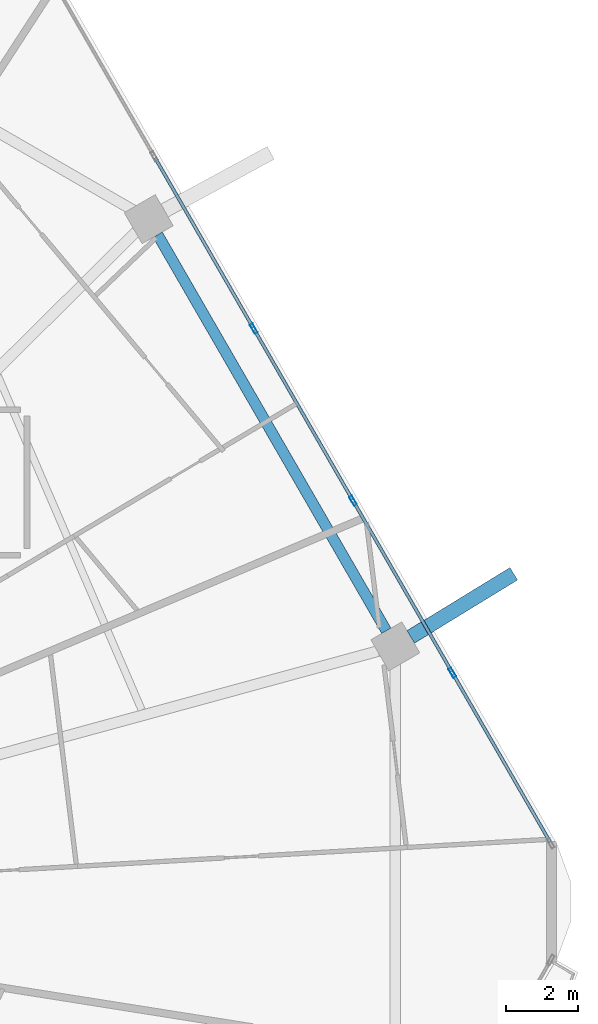
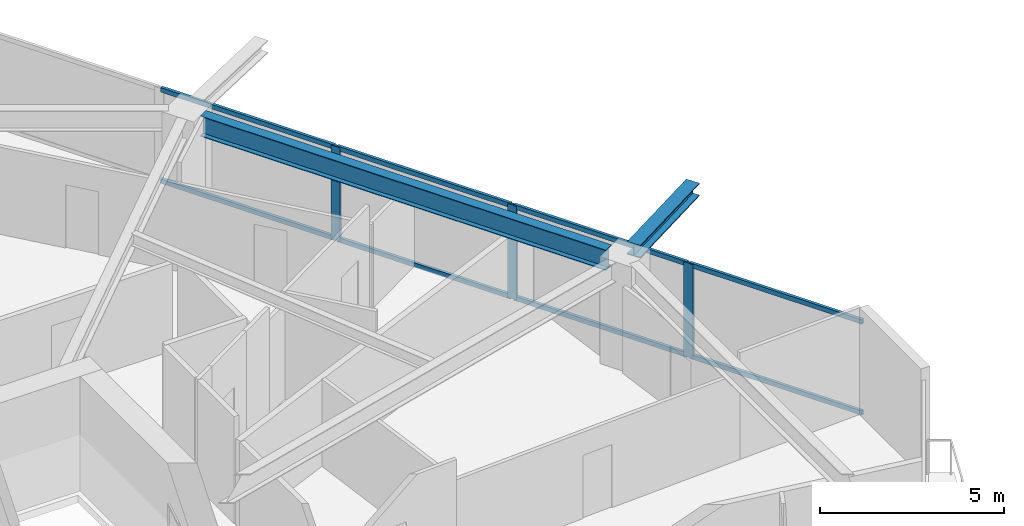
# One storey, part 14 of 26: 11 members, 2 beams, 1 element without a shape of its own.
"""IFC4 building model written with IfcOpenShell, lengths in metres."""

import ifcopenshell
import ifcopenshell.guid

model = None  # the IFC model being written
_history = None  # IfcOwnerHistory: only IFC2X3 demands one
_inside = {}  # id of a spatial element -> (the spatial element, [elements in it])
_under = {}  # id of a project, library or spatial element -> (it, [spatial elements below it])
_declared = {}  # id of a project -> (the project, [libraries it declares])
_typed = {}  # id of a type object -> (the type object, [elements of that type])
_made_of = {}  # id of a material, layer set ... -> (it, [elements and type objects made of it])


def new_model(schema):
    """Start an empty IFC model of exactly this schema.

    Asked for "IFC4X3", IfcOpenShell would pick the latest addendum, in which some entities
    have other attributes; the version numbers below select the first issue.
    IFC2X3 requires an IfcOwnerHistory on every rooted entity: one is made here for all.
    """
    global model, _history
    if schema == "IFC4X3":
        model = ifcopenshell.file(schema_version=(4, 3, 0, 0))
    else:
        model = ifcopenshell.file(schema=schema)
    _inside.clear()
    _under.clear()
    _declared.clear()
    _typed.clear()
    _made_of.clear()
    _history = None
    if model.schema == "IFC2X3":
        org = make("IfcOrganization", Name="unknown")
        user = make(
            "IfcPersonAndOrganization",
            ThePerson=make("IfcPerson", FamilyName="unknown"),
            TheOrganization=org,
        )
        app = make(
            "IfcApplication",
            ApplicationDeveloper=org,
            Version="unknown",
            ApplicationFullName="unknown",
            ApplicationIdentifier="unknown",
        )
        _history = make(
            "IfcOwnerHistory",
            OwningUser=user,
            OwningApplication=app,
            ChangeAction="ADDED",
            CreationDate=0,
        )
    return model


def make(cls, **values):
    """One entity of the class cls with the attributes given. An attribute that is None is left unset."""
    return model.create_entity(
        cls, **{name: value for name, value in values.items() if value is not None}
    )


def rooted(cls, **values):
    """An entity with a GlobalId (a new one), such as an element, a storey or a relation."""
    return make(cls, GlobalId=ifcopenshell.guid.new(), OwnerHistory=_history, **values)


def si_unit(unit_type, name, prefix=None):
    """IfcSIUnit, for example si_unit("LENGTHUNIT", "METRE", prefix="MILLI")."""
    return make("IfcSIUnit", UnitType=unit_type, Prefix=prefix, Name=name)


def assignment(units):
    """IfcUnitAssignment: the units of a project."""
    return None if units is None else make("IfcUnitAssignment", Units=units)


def point(xyz):
    """IfcCartesianPoint."""
    return None if xyz is None else make("IfcCartesianPoint", Coordinates=xyz)


def direction(xyz):
    """IfcDirection."""
    return None if xyz is None else make("IfcDirection", DirectionRatios=xyz)


def frame(location, z_axis=None, x_axis=None):
    """IfcAxis2Placement3D, a coordinate frame: its origin and axes. An axis left out is left unset."""
    return make(
        "IfcAxis2Placement3D",
        Location=point(location),
        Axis=direction(z_axis),
        RefDirection=direction(x_axis),
    )


def frame_2d(location, x_axis=None):
    """IfcAxis2Placement2D, a coordinate frame in the plane: its origin and x axis."""
    return make(
        "IfcAxis2Placement2D", Location=point(location), RefDirection=direction(x_axis)
    )


def origin():
    """The frame at (0, 0, 0) with its axes left unset."""
    return frame((0.0, 0.0, 0.0))


def origin_2d():
    """The frame at (0, 0) in the plane with its x axis left unset."""
    return frame_2d((0.0, 0.0))


def place(relative_to, where):
    """IfcLocalPlacement: puts the frame where relative to a parent placement (None: the world)."""
    return make(
        "IfcLocalPlacement", PlacementRelTo=relative_to, RelativePlacement=where
    )


def context(
    kind, dimensions, precision=None, world=None, true_north=None, identifier=None
):
    """IfcGeometricRepresentationContext, for example the 3D "Model" context."""
    return make(
        "IfcGeometricRepresentationContext",
        ContextIdentifier=identifier,
        ContextType=kind,
        CoordinateSpaceDimension=dimensions,
        Precision=precision,
        WorldCoordinateSystem=world,
        TrueNorth=true_north,
    )


def subcontext(parent, identifier, kind, view, scale=None):
    """IfcGeometricRepresentationSubContext, for example "Body" below "Model"."""
    return make(
        "IfcGeometricRepresentationSubContext",
        ContextIdentifier=identifier,
        ContextType=kind,
        ParentContext=parent,
        TargetScale=scale,
        TargetView=view,
    )


def project(units=None, contexts=None):
    """IfcProject with its units and contexts."""
    return rooted(
        "IfcProject",
        Name="project",
        RepresentationContexts=contexts,
        UnitsInContext=assignment(units),
    )


def spatial(cls, under=None, at=None, **own):
    """A site, building, storey or space (cls), placed at a placement, below another one or the project."""
    s = rooted(cls, ObjectPlacement=at, **own)
    if under is not None:
        _under.setdefault(under.id(), (under, []))[1].append(s)
    return s


def profile(cls, at=None, kind="AREA", **sizes):
    """A parametric profile (cls). Its sizes go by their IFC names, for example OverallWidth=200.0."""
    return make(cls, ProfileType=kind, Position=at, **sizes)


def hollow_rectangle(**sizes):
    """IfcRectangleHollowProfileDef."""
    return profile("IfcRectangleHollowProfileDef", **sizes)


def i_section(**sizes):
    """IfcIShapeProfileDef."""
    return profile("IfcIShapeProfileDef", **sizes)


def extrude(swept, where, along, depth):
    """IfcExtrudedAreaSolid: the profile swept, set in the frame where, extruded along a direction by depth."""
    return make(
        "IfcExtrudedAreaSolid",
        SweptArea=swept,
        Position=where,
        ExtrudedDirection=direction(along),
        Depth=depth,
    )


def shape(context_of_items, identifier, shape_type, items):
    """IfcShapeRepresentation: the items that make up one representation, for example the "Body"."""
    return make(
        "IfcShapeRepresentation",
        ContextOfItems=context_of_items,
        RepresentationIdentifier=identifier,
        RepresentationType=shape_type,
        Items=items,
    )


def material(Name=None, Category=None):
    """IfcMaterial."""
    return make("IfcMaterial", Name=Name, Category=Category)


def material_profile(
    of_material, cross_section, Name=None, Category=None, Priority=None
):
    """IfcMaterialProfile: a cross section and its material."""
    return make(
        "IfcMaterialProfile",
        Name=Name,
        Material=of_material,
        Profile=cross_section,
        Priority=Priority,
        Category=Category,
    )


def profile_set(profiles, Name=None, composite=None):
    """IfcMaterialProfileSet."""
    return make(
        "IfcMaterialProfileSet",
        Name=Name,
        MaterialProfiles=profiles,
        CompositeProfile=composite,
    )


def made_of(thing, what):
    """Note that an element or type object is made of a material, layer set ...; save() writes the relation."""
    if what is not None:
        _made_of.setdefault(what.id(), (what, []))[1].append(thing)
    return thing


def type_object(cls, material=None, **own):
    """A type object (cls), such as IfcWallType, which elements share."""
    return made_of(rooted(cls, **own), material)


def element(
    cls,
    number,
    at=None,
    inside=None,
    cuts=None,
    type_object=None,
    material=None,
    context=None,
    identifier="Body",
    shape_type=None,
    held_by="IfcProductDefinitionShape",
    body=None,
    shapes=None,
    **own,
):
    """One element of the class cls, such as IfcWall. Its Tag is "e" and its number.

    at: its placement. inside: the storey or other place that contains it. cuts: it is an
    opening in that element (IfcRelVoidsElement). A single representation is given by context,
    identifier, shape_type and body (its items); several are given by shapes. held_by: the class
    of the entity that holds the representations. save() writes the other relations.
    """
    e = rooted(cls, Tag="e%d" % number, ObjectPlacement=at, **own)
    if body is not None:
        shapes = [shape(context, identifier, shape_type, body)]
    if shapes is not None:
        e.Representation = make(held_by, Representations=shapes)
    if inside is not None:
        _inside.setdefault(inside.id(), (inside, []))[1].append(e)
    if cuts is not None:
        rooted(
            "IfcRelVoidsElement", RelatingBuildingElement=cuts, RelatedOpeningElement=e
        )
    if type_object is not None:
        _typed.setdefault(type_object.id(), (type_object, []))[1].append(e)
    return made_of(e, material)


def aggregate(whole, parts):
    """IfcRelAggregates: a whole, such as a stair, and the parts it consists of."""
    return rooted("IfcRelAggregates", RelatingObject=whole, RelatedObjects=parts)


def save(model, path):
    """Write the relations noted so far, then the file.

    IfcRelAggregates (storeys below a building ...), IfcRelContainedInSpatialStructure (elements
    in a storey), IfcRelDefinesByType, IfcRelAssociatesMaterial and IfcRelDeclares: one each for
    every whole, place, type object, material and project.
    """
    for whole, parts in _under.values():
        aggregate(whole, parts)
    for where, things in _inside.values():
        rooted(
            "IfcRelContainedInSpatialStructure",
            RelatedElements=things,
            RelatingStructure=where,
        )
    for kind, things in _typed.values():
        rooted("IfcRelDefinesByType", RelatedObjects=things, RelatingType=kind)
    for what, things in _made_of.values():
        rooted("IfcRelAssociatesMaterial", RelatedObjects=things, RelatingMaterial=what)
    for by, libraries in _declared.values():
        rooted("IfcRelDeclares", RelatingContext=by, RelatedDefinitions=libraries)
    model.write(path)


model = new_model("IFC4")

# Units and contexts
model_context = context("Model", 3, precision=1e-05, world=origin(), true_north=direction((0.0, 1.0)))
body_context = subcontext(model_context, "Body", "Model", "MODEL_VIEW")
ifc_project = project(units=[si_unit("LENGTHUNIT", "METRE"), si_unit("AREAUNIT", "SQUARE_METRE"), si_unit("VOLUMEUNIT", "CUBIC_METRE"), si_unit("PLANEANGLEUNIT", "RADIAN"), si_unit("MASSUNIT", "GRAM", prefix="KILO")], contexts=[model_context])

# Site, building, storey
site_placement = place(None, origin())
site = spatial("IfcSite", under=ifc_project, at=site_placement, CompositionType="ELEMENT")
building_placement = place(site_placement, origin())
building = spatial("IfcBuilding", under=site, at=building_placement, Name="Zuhravey Tower", CompositionType="ELEMENT")
storey_placement = place(building_placement, frame((0.0, 0.0, 165.60009765625)))
storey = spatial("IfcBuildingStorey", under=building, at=storey_placement, Name="L41", CompositionType="ELEMENT", Elevation=165.60009765625)

# Curtain wall, members
ifc_material_1 = material(Name="Thermally broken anodised aluminium", Category="aluminium")
curtain_wall_type = type_object("IfcCurtainWallType", Name="Zone 1-2 Residential Curtain Wall CW3", PredefinedType="NOTDEFINED", material=ifc_material_1)
curtain_wall_placement = place(storey_placement, origin())
curtain_wall = element("IfcCurtainWall", 1, at=curtain_wall_placement, inside=storey, type_object=curtain_wall_type, Name="L41 CW3 CW-L41-F1-1", PredefinedType="NOTDEFINED")
ifc_material_2 = material(Name="Anodised aluminium", Category="aluminium")
ifc_material_profile_1 = material_profile(ifc_material_2, hollow_rectangle(XDim=0.090087890625, YDim=0.284912109375, WallThickness=0.0048828125, at=origin_2d()), Name="ALU-RHS-90x285x5")
ifc_profile_set_1 = profile_set([ifc_material_profile_1], Name="Anodised aluminium")
member_type_1 = type_object("IfcMemberType", Name="Curtain-Wall Mullion 90x180", PredefinedType="MULLION", material=ifc_profile_set_1)
member_1_placement = place(storey_placement, frame((58.155029296875, 47.992431640625, 0.0), z_axis=(0.0, 0.0, 1.0), x_axis=(0.866025138215, 0.500000459979, 0.0)))
member_1 = element("IfcMember", 2, at=member_1_placement, type_object=member_type_1, Name="CW3 mullion 3", PredefinedType="MULLION", context=body_context, shape_type="SweptSolid", body=[
    extrude(hollow_rectangle(XDim=0.090087890625, YDim=0.284912109375, WallThickness=0.0048828125, at=origin_2d()), origin(), (0.0, 0.0, 1.0), 3.121826171875),
])
member_2_placement = place(storey_placement, frame((60.92724609375, 43.190673828125, 0.0), z_axis=(0.0, 0.0, 1.0), x_axis=(0.866025138215, 0.500000459979, 0.0)))
member_2 = element("IfcMember", 3, at=member_2_placement, type_object=member_type_1, Name="CW3 mullion 4", PredefinedType="MULLION", context=body_context, shape_type="SweptSolid", body=[
    extrude(hollow_rectangle(XDim=0.090087890625, YDim=0.284912109375, WallThickness=0.0048828125, at=origin_2d()), origin(), (0.0, 0.0, 1.0), 3.121826171875),
])
member_3_placement = place(storey_placement, frame((63.699462890625, 38.38916015625, 0.0), z_axis=(0.0, 0.0, 1.0), x_axis=(0.866025138215, 0.500000459979, 0.0)))
member_3 = element("IfcMember", 4, at=member_3_placement, type_object=member_type_1, Name="CW3 mullion 5", PredefinedType="MULLION", context=body_context, shape_type="SweptSolid", body=[
    extrude(hollow_rectangle(XDim=0.090087890625, YDim=0.284912109375, WallThickness=0.0048828125, at=origin_2d()), origin(), (0.0, 0.0, 1.0), 3.121826171875),
])
ifc_material_profile_2 = material_profile(ifc_material_2, hollow_rectangle(XDim=0.090087890625, YDim=0.14990234375, WallThickness=0.0048828125, at=origin_2d()), Name="ALU-RHS-90x150x5")
ifc_profile_set_2 = profile_set([ifc_material_profile_2], Name="Anodised aluminium")
member_type_2 = type_object("IfcMemberType", Name="Curtain-Wall Transom 90x150", PredefinedType="USERDEFINED", material=ifc_profile_set_2)
member_4_placement = place(storey_placement, frame((55.405517578125, 52.755126953125, 0.044921875), z_axis=(0.49996138257, -0.86604769842, 0.0), x_axis=(0.86604769842, 0.49996138257, 0.0)))
member_4 = element("IfcMember", 5, at=member_4_placement, type_object=member_type_2, Name="CW3 transom 2.1", ObjectType="TRANSOM", PredefinedType="USERDEFINED", context=body_context, shape_type="SweptSolid", body=[
    extrude(hollow_rectangle(XDim=0.090087890625, YDim=0.14990234375, WallThickness=0.0048828125, at=origin_2d()), origin(), (0.0, 0.0, 1.0), 5.45458984375),
])
member_5_placement = place(storey_placement, frame((55.405517578125, 52.755126953125, 3.076904296875), z_axis=(0.49996138257, -0.86604769842, 0.0), x_axis=(0.86604769842, 0.49996138257, 0.0)))
member_5 = element("IfcMember", 6, at=member_5_placement, type_object=member_type_2, Name="CW3 transom 2.2", ObjectType="TRANSOM", PredefinedType="USERDEFINED", context=body_context, shape_type="SweptSolid", body=[
    extrude(hollow_rectangle(XDim=0.090087890625, YDim=0.14990234375, WallThickness=0.0048828125, at=origin_2d()), origin(), (0.0, 0.0, 1.0), 5.45458984375),
])
member_6_placement = place(storey_placement, frame((58.177734375, 47.953369140625, 0.044921875), z_axis=(0.499980763544, -0.866036509673, 0.0), x_axis=(0.866036509673, 0.499980763544, 0.0)))
member_6 = element("IfcMember", 7, at=member_6_placement, type_object=member_type_2, Name="CW3 transom 3.1", ObjectType="TRANSOM", PredefinedType="USERDEFINED", context=body_context, shape_type="SweptSolid", body=[
    extrude(hollow_rectangle(XDim=0.090087890625, YDim=0.14990234375, WallThickness=0.0048828125, at=origin_2d()), origin(), (0.0, 0.0, 1.0), 5.454345703125),
])
member_7_placement = place(storey_placement, frame((58.177734375, 47.953369140625, 3.076904296875), z_axis=(0.499980763544, -0.866036509673, 0.0), x_axis=(0.866036509673, 0.499980763544, 0.0)))
member_7 = element("IfcMember", 8, at=member_7_placement, type_object=member_type_2, Name="CW3 transom 3.2", ObjectType="TRANSOM", PredefinedType="USERDEFINED", context=body_context, shape_type="SweptSolid", body=[
    extrude(hollow_rectangle(XDim=0.090087890625, YDim=0.14990234375, WallThickness=0.0048828125, at=origin_2d()), origin(), (0.0, 0.0, 1.0), 5.454345703125),
])
member_8_placement = place(storey_placement, frame((60.949951171875, 43.15185546875, 0.044921875), z_axis=(0.49996138257, -0.86604769842, 0.0), x_axis=(0.86604769842, 0.49996138257, 0.0)))
member_8 = element("IfcMember", 9, at=member_8_placement, type_object=member_type_2, Name="CW3 transom 4.1", ObjectType="TRANSOM", PredefinedType="USERDEFINED", context=body_context, shape_type="SweptSolid", body=[
    extrude(hollow_rectangle(XDim=0.090087890625, YDim=0.14990234375, WallThickness=0.0048828125, at=origin_2d()), origin(), (0.0, 0.0, 1.0), 5.45458984375),
])
member_9_placement = place(storey_placement, frame((60.949951171875, 43.15185546875, 3.076904296875), z_axis=(0.49996138257, -0.86604769842, 0.0), x_axis=(0.86604769842, 0.49996138257, 0.0)))
member_9 = element("IfcMember", 10, at=member_9_placement, type_object=member_type_2, Name="CW3 transom 4.2", ObjectType="TRANSOM", PredefinedType="USERDEFINED", context=body_context, shape_type="SweptSolid", body=[
    extrude(hollow_rectangle(XDim=0.090087890625, YDim=0.14990234375, WallThickness=0.0048828125, at=origin_2d()), origin(), (0.0, 0.0, 1.0), 5.45458984375),
])
member_10_placement = place(storey_placement, frame((63.72216796875, 38.35009765625, 0.044921875), z_axis=(0.499993332629, -0.866029253159, 0.0), x_axis=(0.866029253159, 0.499993332629, 0.0)))
member_10 = element("IfcMember", 11, at=member_10_placement, type_object=member_type_2, Name="CW3 transom 5.1", ObjectType="TRANSOM", PredefinedType="USERDEFINED", context=body_context, shape_type="SweptSolid", body=[
    extrude(hollow_rectangle(XDim=0.090087890625, YDim=0.14990234375, WallThickness=0.0048828125, at=origin_2d()), origin(), (0.0, 0.0, 1.0), 5.4091796875),
])
member_11_placement = place(storey_placement, frame((63.72216796875, 38.35009765625, 3.076904296875), z_axis=(0.499993332629, -0.866029253159, 0.0), x_axis=(0.866029253159, 0.499993332629, 0.0)))
member_11 = element("IfcMember", 12, at=member_11_placement, type_object=member_type_2, Name="CW3 transom 5.2", ObjectType="TRANSOM", PredefinedType="USERDEFINED", context=body_context, shape_type="SweptSolid", body=[
    extrude(hollow_rectangle(XDim=0.090087890625, YDim=0.14990234375, WallThickness=0.0048828125, at=origin_2d()), origin(), (0.0, 0.0, 1.0), 5.4091796875),
])
aggregate(curtain_wall, [member_1, member_2, member_3, member_4, member_5, member_6, member_7, member_8, member_9, member_10, member_11])

# Beams
ifc_material_3 = material(Name="Steel SM460", Category="steel")
ifc_material_profile_3 = material_profile(ifc_material_3, i_section(OverallWidth=0.406982421875, OverallDepth=0.427978515625, WebThickness=0.02001953125, FlangeThickness=0.034912109375, at=origin_2d()), Name="H-428x407x20x35")
ifc_profile_set_3 = profile_set([ifc_material_profile_3], Name="Steel SM460")
beam_type_1 = type_object("IfcBeamType", Name="Exoskeleton Node Tie Beam H428x407", PredefinedType="BEAM", material=ifc_profile_set_3)
beam_1_placement = place(storey_placement, frame((62.53759765625, 39.389892578125, 3.3359375), z_axis=(0.852722972391, 0.522363410239, 0.0), x_axis=(-0.522363410239, 0.852722972391, 0.0)))
element("IfcBeam", 13, at=beam_1_placement, inside=storey, type_object=beam_type_1, Name="L41 Exoskeleton Node Tie NT1-01", PredefinedType="BEAM", context=body_context, shape_type="SweptSolid", body=[
    extrude(i_section(OverallWidth=0.406982421875, OverallDepth=0.427978515625, WebThickness=0.02001953125, FlangeThickness=0.034912109375, at=origin_2d()), origin(), (0.0, 0.0, 1.0), 3.3720703125),
])
ifc_material_4 = material(Name="Steel SM355", Category="steel")
ifc_material_profile_4 = material_profile(ifc_material_4, i_section(OverallWidth=0.300048828125, OverallDepth=0.679931640625, WebThickness=0.012939453125, FlangeThickness=0.02197265625, at=origin_2d()), Name="H-680x300x13x22")
ifc_profile_set_4 = profile_set([ifc_material_profile_4], Name="Steel SM355")
beam_type_2 = type_object("IfcBeamType", Name="Perimeter Ring Beam H680x300", PredefinedType="BEAM", material=ifc_profile_set_4)
beam_2_placement = place(storey_placement, frame((61.856201171875, 39.56201171875, 3.2099609375), z_axis=(-0.499997974489, 0.866026573211, 0.0), x_axis=(-0.866026573211, -0.499997974489, 0.0)))
element("IfcBeam", 14, at=beam_2_placement, inside=storey, type_object=beam_type_2, Name="L41 PB2 BM-L41-PB-01", PredefinedType="BEAM", context=body_context, shape_type="SweptSolid", body=[
    extrude(i_section(OverallWidth=0.300048828125, OverallDepth=0.679931640625, WebThickness=0.012939453125, FlangeThickness=0.02197265625, at=origin_2d()), origin(), (0.0, 0.0, 1.0), 12.75830078125),
])

save(model, "model.ifc")
